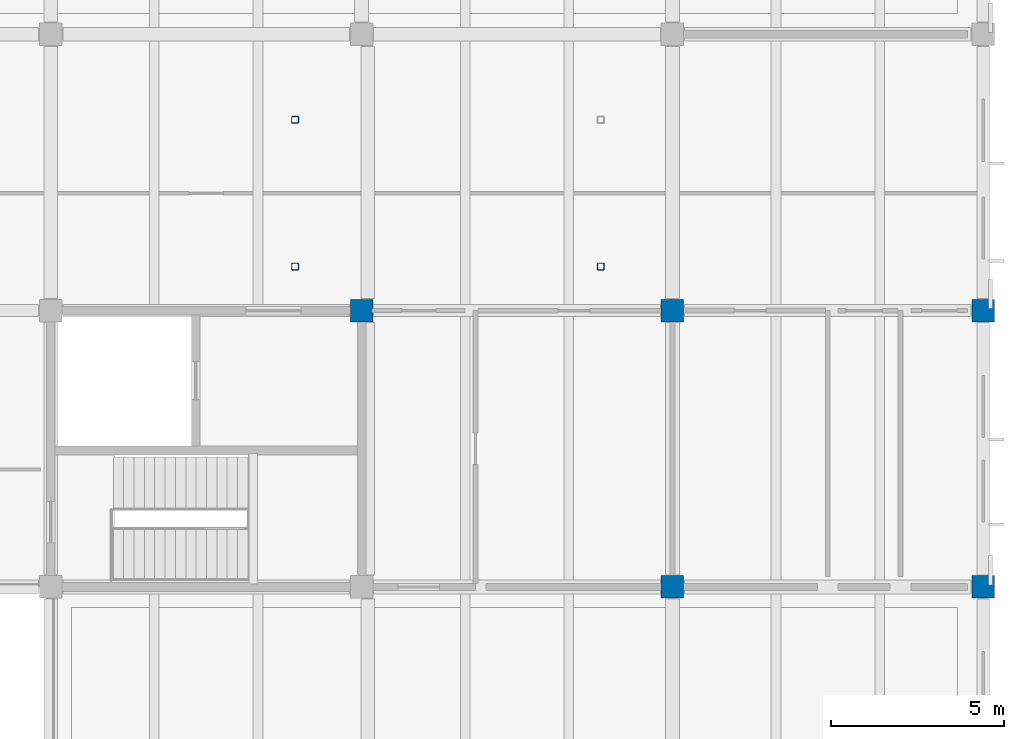
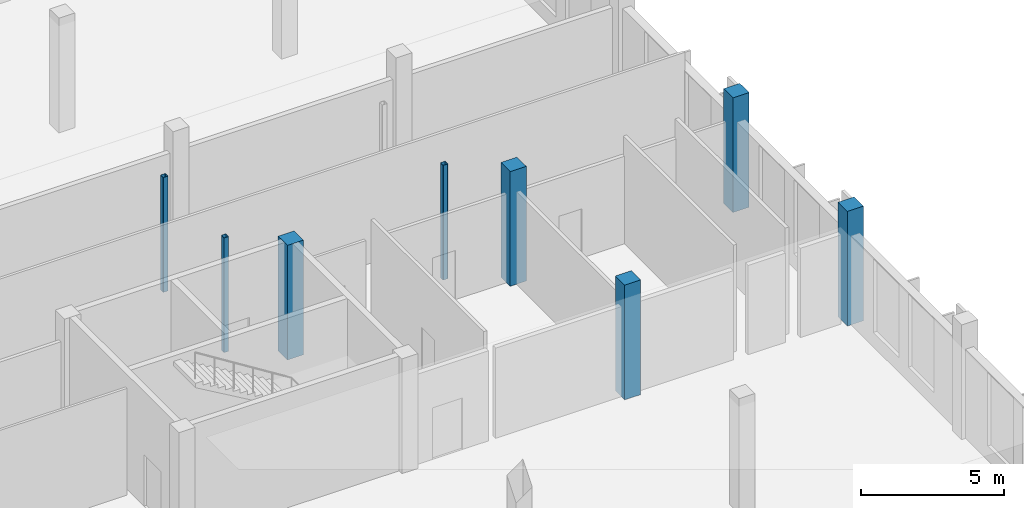
# One storey, part 7 of 110: 8 columns.
"""IFC4 building model written with IfcOpenShell, lengths in metres."""

from ifc_helpers import new_model, si_unit, direction, frame, origin, origin_2d, place, context, subcontext, project, spatial, rectangle, hollow_rectangle, extrude, material, material_profile, profile_set, type_object, element, save


model = new_model("IFC4")

# Units and contexts
model_context = context("Model", 3, precision=1e-05, world=origin(), true_north=direction((0.0, 1.0)))
body_context = subcontext(model_context, "Body", "Model", "MODEL_VIEW")
ifc_project = project(units=[si_unit("LENGTHUNIT", "METRE"), si_unit("AREAUNIT", "SQUARE_METRE"), si_unit("VOLUMEUNIT", "CUBIC_METRE"), si_unit("PLANEANGLEUNIT", "RADIAN"), si_unit("MASSUNIT", "GRAM", prefix="KILO")], contexts=[model_context])

# Site, building, storey
site_placement = place(None, origin())
site = spatial("IfcSite", under=ifc_project, at=site_placement, CompositionType="ELEMENT")
building_placement = place(site_placement, origin())
building = spatial("IfcBuilding", under=site, at=building_placement, Name="Zacnel Wholesale Market", CompositionType="ELEMENT")
storey_placement = place(building_placement, frame((0.0, 0.0, 6.300048828125)))
storey = spatial("IfcBuildingStorey", under=building, at=storey_placement, Name="L02", CompositionType="ELEMENT", Elevation=6.300048828125)

# Columns
ifc_material_1 = material(Name="Precast concrete C45/55", Category="concrete")
ifc_material_profile_1 = material_profile(ifc_material_1, rectangle(XDim=0.64990234375, YDim=0.64990234375, at=origin_2d()), Name="PC 650x650")
ifc_profile_set_1 = profile_set([ifc_material_profile_1], Name="Precast concrete C45/55")
column_type_1 = type_object("IfcColumnType", Name="COL-PC650", PredefinedType="COLUMN", material=ifc_profile_set_1)
for number, where, z_axis, x_axis, name in (
    (1, (198.0, 24.0, 0.0), (0.0, 0.0, 1.0), (1.0, 0.0, 0.0), "Precast column L02-0610"),
    (2, (207.0, 16.0, 0.0), (0.0, 0.0, 1.0), (1.0, 0.0, 0.0), "Precast column L02-0622"),
    (3, (207.0, 24.0, 0.0), (0.0, 0.0, 1.0), (1.0, 0.0, 0.0), "Precast column L02-0623"),
    (4, (216.0, 16.0, 0.0), (0.0, 0.0, 1.0), (1.0, 0.0, 0.0), "Precast column L02-0635"),
    (5, (216.0, 24.0, 0.0), (0.0, 0.0, 1.0), (1.0, 0.0, 0.0), "Precast column L02-0636"),
):
    element("IfcColumn", number, at=place(storey_placement, frame(where, z_axis=z_axis, x_axis=x_axis)), inside=storey, type_object=column_type_1, Name=name, PredefinedType="COLUMN", context=body_context, shape_type="SweptSolid", body=[
        extrude(rectangle(XDim=0.64990234375, YDim=0.64990234375, at=origin_2d()), origin(), (0.0, 0.0, 1.0), 4.89990234375),
    ])
ifc_material_2 = material(Name="Steel S355", Category="steel")
ifc_material_profile_2 = material_profile(ifc_material_2, hollow_rectangle(XDim=0.199951171875, YDim=0.199951171875, WallThickness=0.010009765625, InnerFilletRadius=0.010009765625, OuterFilletRadius=0.02001953125, at=origin_2d()), Name="HSS 200x200x10")
ifc_profile_set_2 = profile_set([ifc_material_profile_2], Name="Steel S355")
column_type_2 = type_object("IfcColumnType", Name="COL-STL-HSS200", PredefinedType="COLUMN", material=ifc_profile_set_2)
for number, where, z_axis, x_axis, name in (
    (6, (196.074951171875, 25.27490234375, 0.0), (0.0, 0.0, 1.0), (1.0, 0.0, 0.0), "Stair ST-26 shaft support column L02-1"),
    (7, (204.925048828125, 25.27490234375, 0.0), (0.0, 0.0, 1.0), (1.0, 0.0, 0.0), "Stair ST-26 shaft support column L02-2"),
    (8, (196.074951171875, 29.52490234375, 0.0), (0.0, 0.0, 1.0), (1.0, 0.0, 0.0), "Stair ST-26 shaft support column L02-3"),
):
    element("IfcColumn", number, at=place(storey_placement, frame(where, z_axis=z_axis, x_axis=x_axis)), inside=storey, type_object=column_type_2, Name=name, PredefinedType="COLUMN", context=body_context, shape_type="SweptSolid", body=[
        extrude(hollow_rectangle(XDim=0.199951171875, YDim=0.199951171875, WallThickness=0.010009765625, InnerFilletRadius=0.010009765625, OuterFilletRadius=0.02001953125, at=origin_2d()), origin(), (0.0, 0.0, 1.0), 4.89990234375),
    ])

save(model, "model.ifc")
